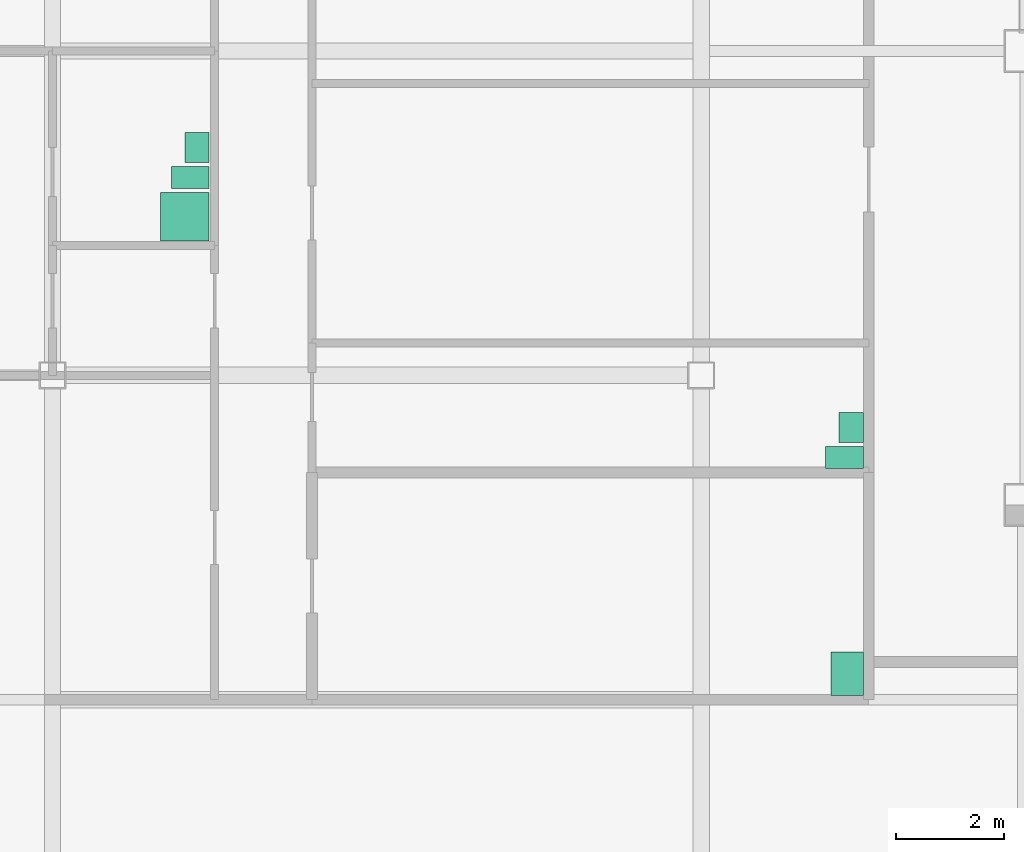
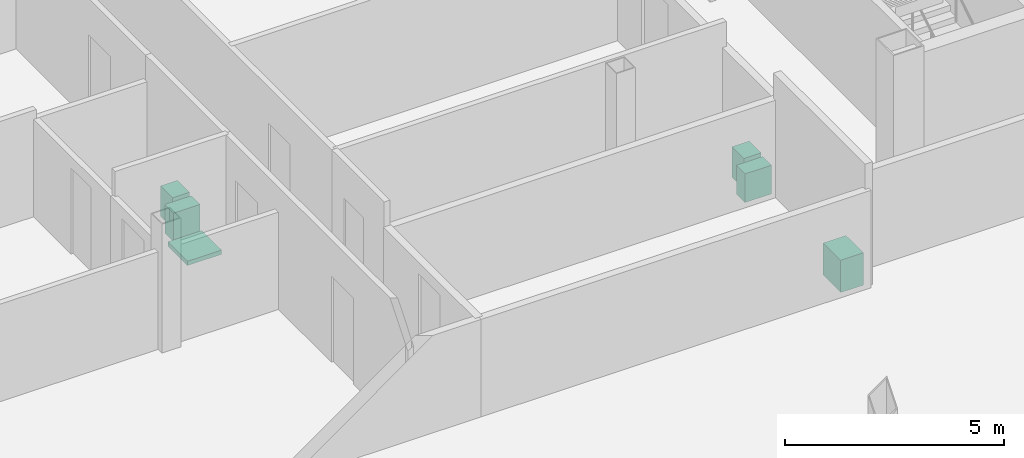
# One storey, part 26 of 27: 6 sanitary terminals.
"""IFC4 building model written with IfcOpenShell, lengths in metres."""

from ifc_helpers import new_model, si_unit, direction, frame, origin, origin_2d, place, context, subcontext, project, spatial, rectangle, extrude, element, save


model = new_model("IFC4")

# Units and contexts
model_context = context("Model", 3, precision=1e-05, world=origin(), true_north=direction((0.0, 1.0)))
body_context = subcontext(model_context, "Body", "Model", "MODEL_VIEW")
ifc_project = project(units=[si_unit("LENGTHUNIT", "METRE"), si_unit("AREAUNIT", "SQUARE_METRE"), si_unit("VOLUMEUNIT", "CUBIC_METRE"), si_unit("PLANEANGLEUNIT", "RADIAN"), si_unit("MASSUNIT", "GRAM", prefix="KILO")], contexts=[model_context])

# Site, building, storey
site_placement = place(None, origin())
site = spatial("IfcSite", under=ifc_project, at=site_placement, CompositionType="ELEMENT")
building_placement = place(site_placement, origin())
building = spatial("IfcBuilding", under=site, at=building_placement, Name="Sorahane Residences", CompositionType="ELEMENT")
storey_placement = place(building_placement, frame((0.0, 0.0, 298.0)))
storey = spatial("IfcBuildingStorey", under=building, at=storey_placement, Name="L70", CompositionType="ELEMENT", Elevation=298.0)

# Sanitary terminals
sanitary_terminal_1_placement = place(storey_placement, frame((-9.550048828125, 26.929931640625, 0.0), z_axis=(0.0, 0.0, 1.0), x_axis=(0.0, -1.0, 0.0)))
element("IfcSanitaryTerminal", 1, at=sanitary_terminal_1_placement, inside=storey, Name="Shower tray En-suite bathroom 70C", PredefinedType="SHOWER", context=body_context, shape_type="SweptSolid", body=[
    extrude(rectangle(XDim=0.89990234375, YDim=0.89990234375, at=origin_2d()), origin(), (0.0, 0.0, 1.0), 0.1201171875),
])
sanitary_terminal_2_placement = place(storey_placement, frame((-9.449951171875, 27.659912109375, 0.0), z_axis=(0.0, 0.0, 1.0), x_axis=(0.0, -1.0, 0.0)))
element("IfcSanitaryTerminal", 2, at=sanitary_terminal_2_placement, inside=storey, Name="WC pan En-suite bathroom 70C", PredefinedType="TOILETPAN", context=body_context, shape_type="SweptSolid", body=[
    extrude(rectangle(XDim=0.39990234375, YDim=0.699951171875, at=origin_2d()), origin(), (0.0, 0.0, 1.0), 0.800048828125),
])
sanitary_terminal_3_placement = place(storey_placement, frame((-9.324951171875, 28.215087890625, 0.0), z_axis=(0.0, 0.0, 1.0), x_axis=(0.0, -1.0, 0.0)))
element("IfcSanitaryTerminal", 3, at=sanitary_terminal_3_placement, inside=storey, Name="Wash basin En-suite bathroom 70C", PredefinedType="WASHHANDBASIN", context=body_context, shape_type="SweptSolid", body=[
    extrude(rectangle(XDim=0.550048828125, YDim=0.449951171875, at=origin_2d()), origin(), (0.0, 0.0, 1.0), 0.85009765625),
])
sanitary_terminal_4_placement = place(storey_placement, frame((2.699951171875, 18.47998046875, 0.0), z_axis=(0.0, 0.0, 1.0), x_axis=(0.0, -1.0, 0.0)))
element("IfcSanitaryTerminal", 4, at=sanitary_terminal_4_placement, inside=storey, Name="Kitchen sink Kitchen 70C", PredefinedType="SINK", context=body_context, shape_type="SweptSolid", body=[
    extrude(rectangle(XDim=0.800048828125, YDim=0.60009765625, at=origin_2d()), origin(), (0.0, 0.0, 1.0), 0.89990234375),
])
sanitary_terminal_5_placement = place(storey_placement, frame((2.64990234375, 22.47998046875, 0.0), z_axis=(0.0, 0.0, 1.0), x_axis=(0.0, -1.0, 0.0)))
element("IfcSanitaryTerminal", 5, at=sanitary_terminal_5_placement, inside=storey, Name="WC pan Guest WC 70C", PredefinedType="TOILETPAN", context=body_context, shape_type="SweptSolid", body=[
    extrude(rectangle(XDim=0.39990234375, YDim=0.699951171875, at=origin_2d()), origin(), (0.0, 0.0, 1.0), 0.800048828125),
])
sanitary_terminal_6_placement = place(storey_placement, frame((2.77490234375, 23.034912109375, 0.0), z_axis=(0.0, 0.0, 1.0), x_axis=(0.0, -1.0, 0.0)))
element("IfcSanitaryTerminal", 6, at=sanitary_terminal_6_placement, inside=storey, Name="Wash basin Guest WC 70C", PredefinedType="WASHHANDBASIN", context=body_context, shape_type="SweptSolid", body=[
    extrude(rectangle(XDim=0.550048828125, YDim=0.449951171875, at=origin_2d()), origin(), (0.0, 0.0, 1.0), 0.85009765625),
])

save(model, "model.ifc")
